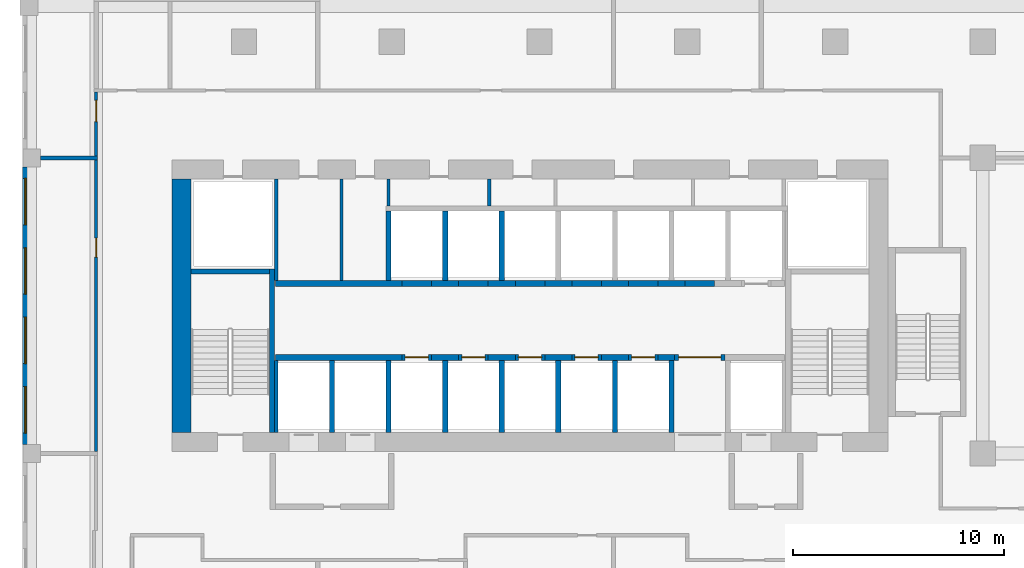
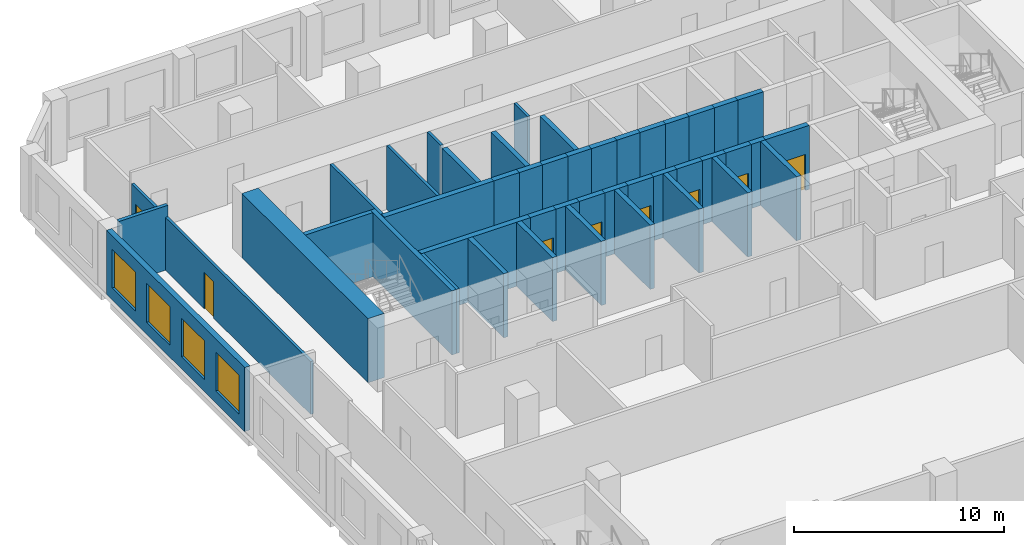
# One storey, part 15 of 27: 46 walls, 8 doors, 4 windows, 12 openings.
"""IFC4 building model written with IfcOpenShell, lengths in metres."""

from ifc_helpers import new_model, si_unit, direction, frame, frame_2d, origin, place, context, subcontext, project, spatial, rectangle, extrude, source, transform, mapped, material, layer, layer_set, type_object, element, fill, save


model = new_model("IFC4")

# Units and contexts
model_context = context("Model", 3, precision=1e-05, world=origin(), true_north=direction((0.0, 1.0)))
body_context = subcontext(model_context, "Body", "Model", "MODEL_VIEW")
ifc_project = project(units=[si_unit("LENGTHUNIT", "METRE"), si_unit("AREAUNIT", "SQUARE_METRE"), si_unit("VOLUMEUNIT", "CUBIC_METRE"), si_unit("PLANEANGLEUNIT", "RADIAN"), si_unit("MASSUNIT", "GRAM", prefix="KILO")], contexts=[model_context])

# Site, building, storey
site_placement = place(None, origin())
site = spatial("IfcSite", under=ifc_project, at=site_placement, CompositionType="ELEMENT")
building_placement = place(site_placement, origin())
building = spatial("IfcBuilding", under=site, at=building_placement, Name="Kilnfold Tower and Market Hall", CompositionType="ELEMENT")
storey_placement = place(building_placement, frame((0.0, 0.0, 112.60009765625)))
storey = spatial("IfcBuildingStorey", under=building, at=storey_placement, Name="L26", CompositionType="ELEMENT", Elevation=112.60009765625)

# Wall, opening, door
ifc_material_1 = material(Name="Gypsum board on steel studs", Category="steel")
ifc_layer_1 = layer(ifc_material_1, 0.14990234375)
ifc_layer_set_1 = layer_set([ifc_layer_1], Name="Gypsum board on steel studs")
wall_type_1 = type_object("IfcWallType", Name="WALL CORRIDOR 150", PredefinedType="PARTITIONING", material=ifc_layer_set_1)
wall_1_placement = place(storey_placement, frame((-19.5, 22.090087890625, 0.0), z_axis=(0.0, 0.0, 1.0), x_axis=(0.0, 1.0, 0.0)))
wall_1 = element("IfcWall", 1, at=wall_1_placement, inside=storey, type_object=wall_type_1, Name="Partition LY17.36", PredefinedType="PARTITIONING", context=body_context, shape_type="SweptSolid", body=[
    extrude(rectangle(XDim=3.034912109375, YDim=0.14990234375, at=frame_2d((1.517578125, 0.0))), origin(), (0.0, 0.0, 1.0), 3.06982421875),
])
opening_1_placement = place(wall_1_placement, frame((1.631103515625, 0.0, 0.0)))
opening_1 = element("IfcOpeningElement", 2, at=opening_1_placement, cuts=wall_1, Name="Opening D1", PredefinedType="OPENING", context=body_context, shape_type="SweptSolid", body=[
    extrude(rectangle(XDim=1.0, YDim=2.10009765625, at=frame_2d((0.5, 1.050048828125))), frame((0.0, 0.0849609375, 0.0), z_axis=(0.0, -1.0, 0.0), x_axis=(1.0, 0.0, 0.0)), (0.0, 0.0, 1.0), 0.169921875),
])
ifc_material_2 = material(Name="Timber veneer door leaf in steel frame", Category="steel")
door_type_1 = type_object("IfcDoorType", Name="DOOR ENTRY 1000 X2100", OperationType="NOTDEFINED", PredefinedType="DOOR", material=ifc_material_2)
door_1_placement = place(opening_1_placement, origin())
door_1 = element("IfcDoor", 3, at=door_1_placement, inside=storey, type_object=door_type_1, Name="Door D1", OperationType="SINGLE_SWING_LEFT", OverallHeight=2.10009765625, OverallWidth=1.0, PredefinedType="DOOR", context=body_context, shape_type="SweptSolid", body=[
    extrude(rectangle(XDim=1.0, YDim=2.10009765625, at=frame_2d((0.5, 1.050048828125))), frame((0.0, 0.02490234375, 0.0), z_axis=(0.0, -1.0, 0.0), x_axis=(1.0, 0.0, 0.0)), (0.0, 0.0, 1.0), 0.050048828125),
])
fill(opening_1, door_1)

wall_2_placement = place(storey_placement, frame((-19.5, 8.090087890625, 0.0), z_axis=(0.0, 0.0, 1.0), x_axis=(0.0, 1.0, 0.0)))
wall_2 = element("IfcWall", 4, at=wall_2_placement, inside=storey, type_object=wall_type_1, Name="Partition LY17.37", PredefinedType="PARTITIONING", context=body_context, shape_type="SweptSolid", body=[
    extrude(rectangle(XDim=13.81982421875, YDim=0.14990234375, at=frame_2d((6.909912109375, 0.0))), origin(), (0.0, 0.0, 1.0), 3.06982421875),
])
opening_2_placement = place(wall_2_placement, frame((9.214111328125, 0.0, 0.0)))
opening_2 = element("IfcOpeningElement", 5, at=opening_2_placement, cuts=wall_2, Name="Opening D2", PredefinedType="OPENING", context=body_context, shape_type="SweptSolid", body=[
    extrude(rectangle(XDim=0.89990234375, YDim=2.10009765625, at=frame_2d((0.449951171875, 1.050048828125))), frame((0.0, 0.0849609375, 0.0), z_axis=(0.0, -1.0, 0.0), x_axis=(1.0, 0.0, 0.0)), (0.0, 0.0, 1.0), 0.169921875),
])
ifc_material_3 = material(Name="Timber veneer door leaf in steel frame", Category="steel")
door_type_2 = type_object("IfcDoorType", Name="DOOR ROOM 900 X2100", OperationType="NOTDEFINED", PredefinedType="DOOR", material=ifc_material_3)
door_2_placement = place(opening_2_placement, origin())
door_2 = element("IfcDoor", 6, at=door_2_placement, inside=storey, type_object=door_type_2, Name="Door D2", OperationType="SINGLE_SWING_RIGHT", OverallHeight=2.10009765625, OverallWidth=0.89990234375, PredefinedType="DOOR", context=body_context, shape_type="SweptSolid", body=[
    extrude(rectangle(XDim=0.89990234375, YDim=2.10009765625, at=frame_2d((0.449951171875, 1.050048828125))), frame((0.0, 0.02490234375, 0.0), z_axis=(0.0, -1.0, 0.0), x_axis=(1.0, 0.0, 0.0)), (0.0, 0.0, 1.0), 0.050048828125),
])
fill(opening_2, door_2)

# Walls
ifc_material_4 = material(Name="Gypsum board on steel studs", Category="steel")
ifc_layer_2 = layer(ifc_material_4, 0.199951171875)
ifc_layer_set_2 = layer_set([ifc_layer_2], Name="Gypsum board on steel studs")
wall_type_2 = type_object("IfcWallType", Name="WALL PARTY 200", PredefinedType="PARTITIONING", material=ifc_layer_set_2)
wall_3_placement = place(storey_placement, frame((-22.125, 22.0, 0.0), z_axis=(0.0, 0.0, 1.0), x_axis=(1.0, 0.0, 0.0)))
element("IfcWall", 7, at=wall_3_placement, inside=storey, type_object=wall_type_2, Name="Partition LY17.75", PredefinedType="PARTITIONING", context=body_context, shape_type="SweptSolid", body=[
    extrude(rectangle(XDim=2.698974609375, YDim=0.199951171875, at=frame_2d((1.349609375, 0.0))), origin(), (0.0, 0.0, 1.0), 3.719970703125),
])
ifc_material_5 = material(Name="Concrete C70", Category="concrete")
ifc_layer_3 = layer(ifc_material_5, 0.25)
ifc_layer_set_3 = layer_set([ifc_layer_3], Name="Concrete C70")
wall_type_3 = type_object("IfcWallType", Name="CORE WALL 250 C70", PredefinedType="SHEAR", material=ifc_layer_set_3)
shared_shape_1 = source(origin(), body_context, "Body", "SweptSolid", [
    extrude(rectangle(XDim=7.75, YDim=0.25, at=frame_2d((3.875, 0.0))), origin(), (0.0, 0.0, 1.0), 3.719970703125),
])
wall_4_placement = place(storey_placement, frame((-11.175048828125, 9.0, 0.0), z_axis=(0.0, 0.0, 1.0), x_axis=(0.0, 1.0, 0.0)))
element("IfcWall", 8, at=wall_4_placement, inside=storey, type_object=wall_type_3, Name="Stair enclosure ST1", PredefinedType="SHEAR", context=body_context, shape_type="MappedRepresentation", body=[
    mapped(shared_shape_1, transform((0.0, 0.0, 0.0))),
])
shared_shape_2 = source(origin(), body_context, "Body", "SweptSolid", [
    extrude(rectangle(XDim=3.699951171875, YDim=0.25, at=frame_2d((1.85009765625, 0.0))), origin(), (0.0, 0.0, 1.0), 3.719970703125),
])
wall_5_placement = place(storey_placement, frame((-15.0, 16.625, 0.0), z_axis=(0.0, 0.0, 1.0), x_axis=(1.0, 0.0, 0.0)))
element("IfcWall", 9, at=wall_5_placement, inside=storey, type_object=wall_type_3, Name="Stair enclosure ST1", PredefinedType="SHEAR", context=body_context, shape_type="MappedRepresentation", body=[
    mapped(shared_shape_2, transform((0.0, 0.0, 0.0))),
])
ifc_material_6 = material(Name="Concrete C70", Category="concrete")
ifc_layer_4 = layer(ifc_material_6, 0.300048828125)
ifc_layer_set_4 = layer_set([ifc_layer_4], Name="Concrete C70")
wall_type_4 = type_object("IfcWallType", Name="CORE WALL 300 C70", PredefinedType="SHEAR", material=ifc_layer_set_4)
shared_shape_3 = source(origin(), body_context, "Body", "SweptSolid", [
    extrude(rectangle(XDim=6.0, YDim=0.300048828125, at=frame_2d((3.0, 0.0))), origin(), (0.0, 0.0, 1.0), 3.719970703125),
])
for number, where, z_axis, x_axis, name in (
    (10, (-11.010009765625, 12.550048828125, 0.0), (0.0, 0.0, 1.0), (1.0, 0.0, 0.0), "Core spine wall"),
    (11, (-11.010009765625, 16.050048828125, 0.0), (0.0, 0.0, 1.0), (1.0, 0.0, 0.0), "Core spine wall"),
):
    element("IfcWall", number, at=place(storey_placement, frame(where, z_axis=z_axis, x_axis=x_axis)), inside=storey, type_object=wall_type_4, Name=name, PredefinedType="SHEAR", context=body_context, shape_type="MappedRepresentation", body=[
        mapped(shared_shape_3, transform((0.0, 0.0, 0.0))),
    ])
shared_shape_4 = source(origin(), body_context, "Body", "SweptSolid", [
    extrude(rectangle(XDim=1.280029296875, YDim=0.300048828125, at=frame_2d((0.64013671875, 0.0))), origin(), (0.0, 0.0, 1.0), 3.719970703125),
])
for number, where, z_axis, x_axis, name in (
    (12, (-3.610107421875, 12.550048828125, 0.0), (0.0, 0.0, 1.0), (1.0, 0.0, 0.0), "Core spine wall"),
    (13, (-0.929931640625, 12.550048828125, 0.0), (0.0, 0.0, 1.0), (1.0, 0.0, 0.0), "Core spine wall"),
    (14, (1.75, 12.550048828125, 0.0), (0.0, 0.0, 1.0), (1.0, 0.0, 0.0), "Core spine wall"),
    (15, (4.429931640625, 12.550048828125, 0.0), (0.0, 0.0, 1.0), (1.0, 0.0, 0.0), "Core spine wall"),
    (16, (-3.610107421875, 16.050048828125, 0.0), (0.0, 0.0, 1.0), (1.0, 0.0, 0.0), "Core spine wall"),
    (17, (-0.929931640625, 16.050048828125, 0.0), (0.0, 0.0, 1.0), (1.0, 0.0, 0.0), "Core spine wall"),
    (18, (1.75, 16.050048828125, 0.0), (0.0, 0.0, 1.0), (1.0, 0.0, 0.0), "Core spine wall"),
    (19, (4.429931640625, 16.050048828125, 0.0), (0.0, 0.0, 1.0), (1.0, 0.0, 0.0), "Core spine wall"),
):
    element("IfcWall", number, at=place(storey_placement, frame(where, z_axis=z_axis, x_axis=x_axis)), inside=storey, type_object=wall_type_4, Name=name, PredefinedType="SHEAR", context=body_context, shape_type="MappedRepresentation", body=[
        mapped(shared_shape_4, transform((0.0, 0.0, 0.0))),
    ])
shared_shape_5 = source(origin(), body_context, "Body", "SweptSolid", [
    extrude(rectangle(XDim=0.77978515625, YDim=0.300048828125, at=frame_2d((0.389892578125, 0.0))), origin(), (0.0, 0.0, 1.0), 3.719970703125),
])
wall_6_placement = place(storey_placement, frame((7.110107421875, 12.550048828125, 0.0), z_axis=(0.0, 0.0, 1.0), x_axis=(1.0, 0.0, 0.0)))
element("IfcWall", 20, at=wall_6_placement, inside=storey, type_object=wall_type_4, Name="Core spine wall", PredefinedType="SHEAR", context=body_context, shape_type="MappedRepresentation", body=[
    mapped(shared_shape_5, transform((0.0, 0.0, 0.0))),
])
shared_shape_6 = source(origin(), body_context, "Body", "SweptSolid", [
    extrude(rectangle(XDim=1.27978515625, YDim=0.300048828125, at=frame_2d((0.639892578125, 0.0))), origin(), (0.0, 0.0, 1.0), 3.719970703125),
])
wall_7_placement = place(storey_placement, frame((7.110107421875, 16.050048828125, 0.0), z_axis=(0.0, 0.0, 1.0), x_axis=(1.0, 0.0, 0.0)))
element("IfcWall", 21, at=wall_7_placement, inside=storey, type_object=wall_type_4, Name="Core spine wall", PredefinedType="SHEAR", context=body_context, shape_type="MappedRepresentation", body=[
    mapped(shared_shape_6, transform((0.0, 0.0, 0.0))),
])
ifc_material_7 = material(Name="Concrete C70", Category="concrete")
ifc_layer_5 = layer(ifc_material_7, 0.89990234375)
ifc_layer_set_5 = layer_set([ifc_layer_5], Name="Concrete C70")
wall_type_5 = type_object("IfcWallType", Name="CORE WALL 900 C70", PredefinedType="SHEAR", material=ifc_layer_set_5)
shared_shape_7 = source(origin(), body_context, "Body", "SweptSolid", [
    extrude(rectangle(XDim=12.0, YDim=0.89990234375, at=frame_2d((6.0, 0.0))), origin(), (0.0, 0.0, 1.0), 3.719970703125),
])
wall_8_placement = place(storey_placement, frame((-15.449951171875, 9.0, 0.0), z_axis=(0.0, 0.0, 1.0), x_axis=(0.0, 1.0, 0.0)))
element("IfcWall", 22, at=wall_8_placement, inside=storey, type_object=wall_type_5, Name="Core outer wall west", PredefinedType="SHEAR", context=body_context, shape_type="MappedRepresentation", body=[
    mapped(shared_shape_7, transform((0.0, 0.0, 0.0))),
])

# Wall, openings, windows
ifc_material_8 = material(Name="Precast concrete C50/60", Category="concrete")
ifc_layer_6 = layer(ifc_material_8, 0.300048828125)
ifc_layer_set_6 = layer_set([ifc_layer_6], Name="Precast concrete C50/60")
wall_type_6 = type_object("IfcWallType", Name="PRECAST WALL 300", PredefinedType="SOLIDWALL", material=ifc_layer_set_6)
shared_shape_8 = source(origin(), body_context, "Body", "SweptSolid", [
    extrude(rectangle(XDim=13.14990234375, YDim=0.300048828125, at=frame_2d((6.574951171875, 0.0))), origin(), (0.0, 0.0, 1.0), 3.719970703125),
])
wall_9_placement = place(storey_placement, frame((-22.85009765625, 21.574951171875, 0.0), z_axis=(0.0, 0.0, 1.0), x_axis=(0.0, -1.0, 0.0)))
wall_9 = element("IfcWall", 23, at=wall_9_placement, inside=storey, type_object=wall_type_6, Name="External wall L26 W", PredefinedType="SOLIDWALL", context=body_context, shape_type="MappedRepresentation", body=[
    mapped(shared_shape_8, transform((0.0, 0.0, 0.0))),
])
opening_3_placement = place(wall_9_placement, frame((0.543701171875, 0.0, 0.699951171875)))
opening_3 = element("IfcOpeningElement", 24, at=opening_3_placement, cuts=wall_9, Name="Opening W1", PredefinedType="OPENING", context=body_context, shape_type="SweptSolid", body=[
    extrude(rectangle(XDim=2.199951171875, YDim=2.25, at=frame_2d((1.10009765625, 1.125))), frame((0.0, 0.16015625, 0.0), z_axis=(0.0, -1.0, 0.0), x_axis=(1.0, 0.0, 0.0)), (0.0, 0.0, 1.0), 0.320068359375),
])
opening_4_placement = place(wall_9_placement, frame((3.831298828125, 0.0, 0.699951171875)))
opening_4 = element("IfcOpeningElement", 25, at=opening_4_placement, cuts=wall_9, Name="Opening W1", PredefinedType="OPENING", context=body_context, shape_type="SweptSolid", body=[
    extrude(rectangle(XDim=2.199951171875, YDim=2.25, at=frame_2d((1.10009765625, 1.125))), frame((0.0, 0.16015625, 0.0), z_axis=(0.0, -1.0, 0.0), x_axis=(1.0, 0.0, 0.0)), (0.0, 0.0, 1.0), 0.320068359375),
])
opening_5_placement = place(wall_9_placement, frame((7.118896484375, 0.0, 0.699951171875)))
opening_5 = element("IfcOpeningElement", 26, at=opening_5_placement, cuts=wall_9, Name="Opening W1", PredefinedType="OPENING", context=body_context, shape_type="SweptSolid", body=[
    extrude(rectangle(XDim=2.199951171875, YDim=2.25, at=frame_2d((1.10009765625, 1.125))), frame((0.0, 0.16015625, 0.0), z_axis=(0.0, -1.0, 0.0), x_axis=(1.0, 0.0, 0.0)), (0.0, 0.0, 1.0), 0.320068359375),
])
opening_6_placement = place(wall_9_placement, frame((10.40625, 0.0, 0.699951171875)))
opening_6 = element("IfcOpeningElement", 27, at=opening_6_placement, cuts=wall_9, Name="Opening W1", PredefinedType="OPENING", context=body_context, shape_type="SweptSolid", body=[
    extrude(rectangle(XDim=2.199951171875, YDim=2.25, at=frame_2d((1.10009765625, 1.125))), frame((0.0, 0.16015625, 0.0), z_axis=(0.0, -1.0, 0.0), x_axis=(1.0, 0.0, 0.0)), (0.0, 0.0, 1.0), 0.320068359375),
])
ifc_material_9 = material(Name="Aluminium frame and double glazing", Category="aluminium")
window_type = type_object("IfcWindowType", Name="WINDOW W1 2200X2250", PartitioningType="SINGLE_PANEL", PredefinedType="WINDOW", material=ifc_material_9)
window_1_placement = place(opening_3_placement, origin())
window_1 = element("IfcWindow", 28, at=window_1_placement, inside=storey, type_object=window_type, Name="Window W1 L26 W-1", OverallHeight=2.25, OverallWidth=2.199951171875, PartitioningType="SINGLE_PANEL", PredefinedType="WINDOW", context=body_context, shape_type="SweptSolid", body=[
    extrude(rectangle(XDim=2.199951171875, YDim=2.25, at=frame_2d((1.10009765625, 1.125))), frame((0.0, 0.030029296875, 0.0), z_axis=(0.0, -1.0, 0.0), x_axis=(1.0, 0.0, 0.0)), (0.0, 0.0, 1.0), 0.06005859375),
])
fill(opening_3, window_1)
window_2_placement = place(opening_4_placement, origin())
window_2 = element("IfcWindow", 29, at=window_2_placement, inside=storey, type_object=window_type, Name="Window W1 L26 W-2", OverallHeight=2.25, OverallWidth=2.199951171875, PartitioningType="SINGLE_PANEL", PredefinedType="WINDOW", context=body_context, shape_type="SweptSolid", body=[
    extrude(rectangle(XDim=2.199951171875, YDim=2.25, at=frame_2d((1.10009765625, 1.125))), frame((0.0, 0.030029296875, 0.0), z_axis=(0.0, -1.0, 0.0), x_axis=(1.0, 0.0, 0.0)), (0.0, 0.0, 1.0), 0.06005859375),
])
fill(opening_4, window_2)
window_3_placement = place(opening_5_placement, origin())
window_3 = element("IfcWindow", 30, at=window_3_placement, inside=storey, type_object=window_type, Name="Window W1 L26 W-3", OverallHeight=2.25, OverallWidth=2.199951171875, PartitioningType="SINGLE_PANEL", PredefinedType="WINDOW", context=body_context, shape_type="SweptSolid", body=[
    extrude(rectangle(XDim=2.199951171875, YDim=2.25, at=frame_2d((1.10009765625, 1.125))), frame((0.0, 0.030029296875, 0.0), z_axis=(0.0, -1.0, 0.0), x_axis=(1.0, 0.0, 0.0)), (0.0, 0.0, 1.0), 0.06005859375),
])
fill(opening_5, window_3)
window_4_placement = place(opening_6_placement, origin())
window_4 = element("IfcWindow", 31, at=window_4_placement, inside=storey, type_object=window_type, Name="Window W1 L26 W-4", OverallHeight=2.25, OverallWidth=2.199951171875, PartitioningType="SINGLE_PANEL", PredefinedType="WINDOW", context=body_context, shape_type="SweptSolid", body=[
    extrude(rectangle(XDim=2.199951171875, YDim=2.25, at=frame_2d((1.10009765625, 1.125))), frame((0.0, 0.030029296875, 0.0), z_axis=(0.0, -1.0, 0.0), x_axis=(1.0, 0.0, 0.0)), (0.0, 0.0, 1.0), 0.06005859375),
])
fill(opening_6, window_4)

# Wall, opening, door
ifc_material_10 = material(Name="Gypsum shaft wall system")
ifc_layer_7 = layer(ifc_material_10, 0.300048828125)
ifc_layer_set_7 = layer_set([ifc_layer_7], Name="Gypsum shaft wall system")
wall_type_7 = type_object("IfcWallType", Name="SHAFT WALL 300", PredefinedType="PARTITIONING", material=ifc_layer_set_7)
shared_shape_9 = source(origin(), body_context, "Body", "SweptSolid", [
    extrude(rectangle(XDim=1.39990234375, YDim=0.300048828125, at=frame_2d((0.699951171875, 0.0))), origin(), (0.0, 0.0, 1.0), 3.719970703125),
])
wall_10_placement = place(storey_placement, frame((-5.010009765625, 12.550048828125, 0.0), z_axis=(0.0, 0.0, 1.0), x_axis=(1.0, 0.0, 0.0)))
wall_10 = element("IfcWall", 32, at=wall_10_placement, inside=storey, type_object=wall_type_7, Name="Lift shaft front wall", PredefinedType="PARTITIONING", context=body_context, shape_type="MappedRepresentation", body=[
    mapped(shared_shape_9, transform((0.0, 0.0, 0.0))),
])
opening_7_placement = place(wall_10_placement, frame((0.14990234375, 0.0, 0.0)))
opening_7 = element("IfcOpeningElement", 33, at=opening_7_placement, cuts=wall_10, Name="Opening LD2", PredefinedType="OPENING", context=body_context, shape_type="SweptSolid", body=[
    extrude(rectangle(XDim=1.10009765625, YDim=2.10009765625, at=frame_2d((0.550048828125, 1.050048828125))), frame((0.0, 0.16015625, 0.0), z_axis=(0.0, -1.0, 0.0), x_axis=(1.0, 0.0, 0.0)), (0.0, 0.0, 1.0), 0.320068359375),
])
ifc_material_11 = material(Name="Steel door set with fire-resisting leaf", Category="steel")
door_type_3 = type_object("IfcDoorType", Name="LANDING DOOR 1100X2100", OperationType="NOTDEFINED", PredefinedType="DOOR", material=ifc_material_11)
door_3_placement = place(opening_7_placement, origin())
door_3 = element("IfcDoor", 34, at=door_3_placement, inside=storey, type_object=door_type_3, Name="Landing door LR1", OperationType="DOUBLE_DOOR_SLIDING", OverallHeight=2.10009765625, OverallWidth=1.10009765625, PredefinedType="DOOR", context=body_context, shape_type="SweptSolid", body=[
    extrude(rectangle(XDim=1.10009765625, YDim=2.10009765625, at=frame_2d((0.550048828125, 1.050048828125))), frame((0.0, 0.02490234375, 0.0), z_axis=(0.0, -1.0, 0.0), x_axis=(1.0, 0.0, 0.0)), (0.0, 0.0, 1.0), 0.050048828125),
])
fill(opening_7, door_3)

wall_11_placement = place(storey_placement, frame((0.35009765625, 12.550048828125, 0.0), z_axis=(0.0, 0.0, 1.0), x_axis=(1.0, 0.0, 0.0)))
wall_11 = element("IfcWall", 35, at=wall_11_placement, inside=storey, type_object=wall_type_7, Name="Lift shaft front wall", PredefinedType="PARTITIONING", context=body_context, shape_type="MappedRepresentation", body=[
    mapped(shared_shape_9, transform((0.0, 0.0, 0.0))),
])
opening_8_placement = place(wall_11_placement, frame((0.14990234375, 0.0, 0.0)))
opening_8 = element("IfcOpeningElement", 36, at=opening_8_placement, cuts=wall_11, Name="Opening LD2", PredefinedType="OPENING", context=body_context, shape_type="SweptSolid", body=[
    extrude(rectangle(XDim=1.10009765625, YDim=2.10009765625, at=frame_2d((0.550048828125, 1.050048828125))), frame((0.0, 0.16015625, 0.0), z_axis=(0.0, -1.0, 0.0), x_axis=(1.0, 0.0, 0.0)), (0.0, 0.0, 1.0), 0.320068359375),
])
door_4_placement = place(opening_8_placement, origin())
door_4 = element("IfcDoor", 37, at=door_4_placement, inside=storey, type_object=door_type_3, Name="Landing door LR3", OperationType="DOUBLE_DOOR_SLIDING", OverallHeight=2.10009765625, OverallWidth=1.10009765625, PredefinedType="DOOR", context=body_context, shape_type="SweptSolid", body=[
    extrude(rectangle(XDim=1.10009765625, YDim=2.10009765625, at=frame_2d((0.550048828125, 1.050048828125))), frame((0.0, 0.02490234375, 0.0), z_axis=(0.0, -1.0, 0.0), x_axis=(1.0, 0.0, 0.0)), (0.0, 0.0, 1.0), 0.050048828125),
])
fill(opening_8, door_4)

wall_12_placement = place(storey_placement, frame((3.030029296875, 12.550048828125, 0.0), z_axis=(0.0, 0.0, 1.0), x_axis=(1.0, 0.0, 0.0)))
wall_12 = element("IfcWall", 38, at=wall_12_placement, inside=storey, type_object=wall_type_7, Name="Lift shaft front wall", PredefinedType="PARTITIONING", context=body_context, shape_type="MappedRepresentation", body=[
    mapped(shared_shape_9, transform((0.0, 0.0, 0.0))),
])
opening_9_placement = place(wall_12_placement, frame((0.14990234375, 0.0, 0.0)))
opening_9 = element("IfcOpeningElement", 39, at=opening_9_placement, cuts=wall_12, Name="Opening LD2", PredefinedType="OPENING", context=body_context, shape_type="SweptSolid", body=[
    extrude(rectangle(XDim=1.10009765625, YDim=2.10009765625, at=frame_2d((0.550048828125, 1.050048828125))), frame((0.0, 0.16015625, 0.0), z_axis=(0.0, -1.0, 0.0), x_axis=(1.0, 0.0, 0.0)), (0.0, 0.0, 1.0), 0.320068359375),
])
door_5_placement = place(opening_9_placement, origin())
door_5 = element("IfcDoor", 40, at=door_5_placement, inside=storey, type_object=door_type_3, Name="Landing door LR4", OperationType="DOUBLE_DOOR_SLIDING", OverallHeight=2.10009765625, OverallWidth=1.10009765625, PredefinedType="DOOR", context=body_context, shape_type="SweptSolid", body=[
    extrude(rectangle(XDim=1.10009765625, YDim=2.10009765625, at=frame_2d((0.550048828125, 1.050048828125))), frame((0.0, 0.02490234375, 0.0), z_axis=(0.0, -1.0, 0.0), x_axis=(1.0, 0.0, 0.0)), (0.0, 0.0, 1.0), 0.050048828125),
])
fill(opening_9, door_5)

# Walls
for number, where, z_axis, x_axis, name in (
    (41, (-5.010009765625, 16.050048828125, 0.0), (0.0, 0.0, 1.0), (1.0, 0.0, 0.0), "Lift shaft front wall"),
    (42, (0.35009765625, 16.050048828125, 0.0), (0.0, 0.0, 1.0), (1.0, 0.0, 0.0), "Lift shaft front wall"),
    (43, (3.030029296875, 16.050048828125, 0.0), (0.0, 0.0, 1.0), (1.0, 0.0, 0.0), "Lift shaft front wall"),
):
    element("IfcWall", number, at=place(storey_placement, frame(where, z_axis=z_axis, x_axis=x_axis)), inside=storey, type_object=wall_type_7, Name=name, PredefinedType="PARTITIONING", context=body_context, shape_type="MappedRepresentation", body=[
        mapped(shared_shape_9, transform((0.0, 0.0, 0.0))),
    ])

# Wall, opening, door
shared_shape_10 = source(origin(), body_context, "Body", "SweptSolid", [
    extrude(rectangle(XDim=1.400146484375, YDim=0.300048828125, at=frame_2d((0.7001953125, 0.0))), origin(), (0.0, 0.0, 1.0), 3.719970703125),
])
wall_13_placement = place(storey_placement, frame((-2.330078125, 12.550048828125, 0.0), z_axis=(0.0, 0.0, 1.0), x_axis=(1.0, 0.0, 0.0)))
wall_13 = element("IfcWall", 44, at=wall_13_placement, inside=storey, type_object=wall_type_7, Name="Lift shaft front wall", PredefinedType="PARTITIONING", context=body_context, shape_type="MappedRepresentation", body=[
    mapped(shared_shape_10, transform((0.0, 0.0, 0.0))),
])
opening_10_placement = place(wall_13_placement, frame((0.14990234375, 0.0, 0.0)))
opening_10 = element("IfcOpeningElement", 45, at=opening_10_placement, cuts=wall_13, Name="Opening LD2", PredefinedType="OPENING", context=body_context, shape_type="SweptSolid", body=[
    extrude(rectangle(XDim=1.10009765625, YDim=2.10009765625, at=frame_2d((0.550048828125, 1.050048828125))), frame((0.0, 0.16015625, 0.0), z_axis=(0.0, -1.0, 0.0), x_axis=(1.0, 0.0, 0.0)), (0.0, 0.0, 1.0), 0.320068359375),
])
door_6_placement = place(opening_10_placement, origin())
door_6 = element("IfcDoor", 46, at=door_6_placement, inside=storey, type_object=door_type_3, Name="Landing door LR2", OperationType="DOUBLE_DOOR_SLIDING", OverallHeight=2.10009765625, OverallWidth=1.10009765625, PredefinedType="DOOR", context=body_context, shape_type="SweptSolid", body=[
    extrude(rectangle(XDim=1.10009765625, YDim=2.10009765625, at=frame_2d((0.550048828125, 1.050048828125))), frame((0.0, 0.02490234375, 0.0), z_axis=(0.0, -1.0, 0.0), x_axis=(1.0, 0.0, 0.0)), (0.0, 0.0, 1.0), 0.050048828125),
])
fill(opening_10, door_6)

wall_14_placement = place(storey_placement, frame((5.7099609375, 12.550048828125, 0.0), z_axis=(0.0, 0.0, 1.0), x_axis=(1.0, 0.0, 0.0)))
wall_14 = element("IfcWall", 47, at=wall_14_placement, inside=storey, type_object=wall_type_7, Name="Lift shaft front wall", PredefinedType="PARTITIONING", context=body_context, shape_type="MappedRepresentation", body=[
    mapped(shared_shape_10, transform((0.0, 0.0, 0.0))),
])
opening_11_placement = place(wall_14_placement, frame((0.14990234375, 0.0, 0.0)))
opening_11 = element("IfcOpeningElement", 48, at=opening_11_placement, cuts=wall_14, Name="Opening LD2", PredefinedType="OPENING", context=body_context, shape_type="SweptSolid", body=[
    extrude(rectangle(XDim=1.10009765625, YDim=2.10009765625, at=frame_2d((0.550048828125, 1.050048828125))), frame((0.0, 0.16015625, 0.0), z_axis=(0.0, -1.0, 0.0), x_axis=(1.0, 0.0, 0.0)), (0.0, 0.0, 1.0), 0.320068359375),
])
door_7_placement = place(opening_11_placement, origin())
door_7 = element("IfcDoor", 49, at=door_7_placement, inside=storey, type_object=door_type_3, Name="Landing door LR5", OperationType="DOUBLE_DOOR_SLIDING", OverallHeight=2.10009765625, OverallWidth=1.10009765625, PredefinedType="DOOR", context=body_context, shape_type="SweptSolid", body=[
    extrude(rectangle(XDim=1.10009765625, YDim=2.10009765625, at=frame_2d((0.550048828125, 1.050048828125))), frame((0.0, 0.02490234375, 0.0), z_axis=(0.0, -1.0, 0.0), x_axis=(1.0, 0.0, 0.0)), (0.0, 0.0, 1.0), 0.050048828125),
])
fill(opening_11, door_7)

# Walls
for number, where, z_axis, x_axis, name in (
    (50, (-2.330078125, 16.050048828125, 0.0), (0.0, 0.0, 1.0), (1.0, 0.0, 0.0), "Lift shaft front wall"),
    (51, (5.7099609375, 16.050048828125, 0.0), (0.0, 0.0, 1.0), (1.0, 0.0, 0.0), "Lift shaft front wall"),
    (52, (8.389892578125, 16.050048828125, 0.0), (0.0, 0.0, 1.0), (1.0, 0.0, 0.0), "Lift shaft front wall"),
):
    element("IfcWall", number, at=place(storey_placement, frame(where, z_axis=z_axis, x_axis=x_axis)), inside=storey, type_object=wall_type_7, Name=name, PredefinedType="PARTITIONING", context=body_context, shape_type="MappedRepresentation", body=[
        mapped(shared_shape_10, transform((0.0, 0.0, 0.0))),
    ])

# Wall, opening, door
shared_shape_11 = source(origin(), body_context, "Body", "SweptSolid", [
    extrude(rectangle(XDim=2.400146484375, YDim=0.300048828125, at=frame_2d((1.2001953125, 0.0))), origin(), (0.0, 0.0, 1.0), 3.719970703125),
])
wall_15_placement = place(storey_placement, frame((7.889892578125, 12.550048828125, 0.0), z_axis=(0.0, 0.0, 1.0), x_axis=(1.0, 0.0, 0.0)))
wall_15 = element("IfcWall", 53, at=wall_15_placement, inside=storey, type_object=wall_type_7, Name="Lift shaft front wall", PredefinedType="PARTITIONING", context=body_context, shape_type="MappedRepresentation", body=[
    mapped(shared_shape_11, transform((0.0, 0.0, 0.0))),
])
opening_12_placement = place(wall_15_placement, frame((0.199951171875, 0.0, 0.0)))
opening_12 = element("IfcOpeningElement", 54, at=opening_12_placement, cuts=wall_15, Name="Opening VD2", PredefinedType="OPENING", context=body_context, shape_type="SweptSolid", body=[
    extrude(rectangle(XDim=2.0, YDim=2.10009765625, at=frame_2d((1.0, 1.050048828125))), frame((0.0, 0.16015625, 0.0), z_axis=(0.0, -1.0, 0.0), x_axis=(1.0, 0.0, 0.0)), (0.0, 0.0, 1.0), 0.320068359375),
])
ifc_material_12 = material(Name="Steel door set with fire-resisting leaf", Category="steel")
door_type_4 = type_object("IfcDoorType", Name="LIFT LOBBY ENTRANCE DOOR 2000X2100", OperationType="NOTDEFINED", PredefinedType="DOOR", material=ifc_material_12)
door_8_placement = place(opening_12_placement, origin())
door_8 = element("IfcDoor", 55, at=door_8_placement, inside=storey, type_object=door_type_4, Name="Lift lobby entrance door", OperationType="DOUBLE_DOOR_SINGLE_SWING", OverallHeight=2.10009765625, OverallWidth=2.0, PredefinedType="DOOR", context=body_context, shape_type="SweptSolid", body=[
    extrude(rectangle(XDim=2.0, YDim=2.10009765625, at=frame_2d((1.0, 1.050048828125))), frame((0.0, 0.02490234375, 0.0), z_axis=(0.0, -1.0, 0.0), x_axis=(1.0, 0.0, 0.0)), (0.0, 0.0, 1.0), 0.050048828125),
])
fill(opening_12, door_8)

# Walls
ifc_material_13 = material(Name="Gypsum shaft wall system")
ifc_layer_8 = layer(ifc_material_13, 0.25)
ifc_layer_set_8 = layer_set([ifc_layer_8], Name="Gypsum shaft wall system")
wall_type_8 = type_object("IfcWallType", Name="SHAFT WALL 250", PredefinedType="PARTITIONING", material=ifc_layer_set_8)
shared_shape_12 = source(origin(), body_context, "Body", "SweptSolid", [
    extrude(rectangle(XDim=3.275146484375, YDim=0.25, at=frame_2d((1.6376953125, 0.0))), origin(), (0.0, 0.0, 1.0), 3.719970703125),
])
for number, where, z_axis, x_axis, name in (
    (56, (-0.2900390625, 16.199951171875, 0.0), (0.0, 0.0, 1.0), (0.0, 1.0, 0.0), "Lift shaft wall"),
    (57, (-2.969970703125, 16.199951171875, 0.0), (0.0, 0.0, 1.0), (0.0, 1.0, 0.0), "Lift shaft wall"),
    (58, (-5.64990234375, 16.199951171875, 0.0), (0.0, 0.0, 1.0), (0.0, 1.0, 0.0), "Lift shaft wall"),
):
    element("IfcWall", number, at=place(storey_placement, frame(where, z_axis=z_axis, x_axis=x_axis)), inside=storey, type_object=wall_type_8, Name=name, PredefinedType="PARTITIONING", context=body_context, shape_type="MappedRepresentation", body=[
        mapped(shared_shape_12, transform((0.0, 0.0, 0.0))),
    ])
shared_shape_13 = source(origin(), body_context, "Body", "SweptSolid", [
    extrude(rectangle(XDim=3.39990234375, YDim=0.25, at=frame_2d((1.699951171875, 0.0))), origin(), (0.0, 0.0, 1.0), 3.719970703125),
])
for number, where, z_axis, x_axis, name in (
    (59, (2.389892578125, 9.0, 0.0), (0.0, 0.0, 1.0), (0.0, 1.0, 0.0), "Lift shaft wall"),
    (60, (5.070068359375, 9.0, 0.0), (0.0, 0.0, 1.0), (0.0, 1.0, 0.0), "Lift shaft wall"),
    (61, (7.75, 9.0, 0.0), (0.0, 0.0, 1.0), (0.0, 1.0, 0.0), "Lift shaft wall"),
    (62, (-0.2900390625, 9.0, 0.0), (0.0, 0.0, 1.0), (0.0, 1.0, 0.0), "Lift shaft wall"),
    (63, (-2.969970703125, 9.0, 0.0), (0.0, 0.0, 1.0), (0.0, 1.0, 0.0), "Lift shaft wall"),
    (64, (-5.64990234375, 9.0, 0.0), (0.0, 0.0, 1.0), (0.0, 1.0, 0.0), "Lift shaft wall"),
    (65, (-8.330078125, 9.0, 0.0), (0.0, 0.0, 1.0), (0.0, 1.0, 0.0), "Lift shaft wall"),
):
    element("IfcWall", number, at=place(storey_placement, frame(where, z_axis=z_axis, x_axis=x_axis)), inside=storey, type_object=wall_type_8, Name=name, PredefinedType="PARTITIONING", context=body_context, shape_type="MappedRepresentation", body=[
        mapped(shared_shape_13, transform((0.0, 0.0, 0.0))),
    ])
ifc_material_14 = material(Name="Gypsum shaft wall system")
ifc_layer_9 = layer(ifc_material_14, 0.1650390625)
ifc_layer_set_9 = layer_set([ifc_layer_9], Name="Gypsum shaft wall system")
wall_type_9 = type_object("IfcWallType", Name="SHAFT WALL 165", PredefinedType="PARTITIONING", material=ifc_layer_set_9)
shared_shape_14 = source(origin(), body_context, "Body", "SweptSolid", [
    extrude(rectangle(XDim=3.39990234375, YDim=0.1650390625, at=frame_2d((1.699951171875, 0.0))), origin(), (0.0, 0.0, 1.0), 3.719970703125),
])
wall_16_placement = place(storey_placement, frame((-10.967529296875, 9.0, 0.0), z_axis=(0.0, 0.0, 1.0), x_axis=(0.0, 1.0, 0.0)))
element("IfcWall", 66, at=wall_16_placement, inside=storey, type_object=wall_type_9, Name="Lift shaft wall", PredefinedType="PARTITIONING", context=body_context, shape_type="MappedRepresentation", body=[
    mapped(shared_shape_14, transform((0.0, 0.0, 0.0))),
])
ifc_material_15 = material(Name="Gypsum shaft wall system")
ifc_layer_10 = layer(ifc_material_15, 0.14990234375)
ifc_layer_set_10 = layer_set([ifc_layer_10], Name="Gypsum shaft wall system")
wall_type_10 = type_object("IfcWallType", Name="ROOM WALL 150", PredefinedType="PARTITIONING", material=ifc_layer_set_10)
shared_shape_15 = source(origin(), body_context, "Body", "SweptSolid", [
    extrude(rectangle(XDim=1.27490234375, YDim=0.14990234375, at=frame_2d((0.637451171875, 0.0))), origin(), (0.0, 0.0, 1.0), 3.719970703125),
])
for number, where, z_axis, x_axis, name in (
    (67, (-5.64990234375, 19.72509765625, 0.0), (0.0, 0.0, 1.0), (0.0, 1.0, 0.0), "Core room wall"),
    (68, (-0.879638671875, 19.72509765625, 0.0), (0.0, 0.0, 1.0), (0.0, 1.0, 0.0), "Core room wall"),
):
    element("IfcWall", number, at=place(storey_placement, frame(where, z_axis=z_axis, x_axis=x_axis)), inside=storey, type_object=wall_type_10, Name=name, PredefinedType="PARTITIONING", context=body_context, shape_type="MappedRepresentation", body=[
        mapped(shared_shape_15, transform((0.0, 0.0, 0.0))),
    ])
shared_shape_16 = source(origin(), body_context, "Body", "SweptSolid", [
    extrude(rectangle(XDim=4.800048828125, YDim=0.1650390625, at=frame_2d((2.39990234375, 0.0))), origin(), (0.0, 0.0, 1.0), 3.719970703125),
])
wall_17_placement = place(storey_placement, frame((-10.967529296875, 16.199951171875, 0.0), z_axis=(0.0, 0.0, 1.0), x_axis=(0.0, 1.0, 0.0)))
element("IfcWall", 69, at=wall_17_placement, inside=storey, type_object=wall_type_9, Name="Lift shaft wall", PredefinedType="PARTITIONING", context=body_context, shape_type="MappedRepresentation", body=[
    mapped(shared_shape_16, transform((0.0, 0.0, 0.0))),
])
shared_shape_17 = source(origin(), body_context, "Body", "SweptSolid", [
    extrude(rectangle(XDim=4.800048828125, YDim=0.14990234375, at=frame_2d((2.39990234375, 0.0))), origin(), (0.0, 0.0, 1.0), 3.719970703125),
])
wall_18_placement = place(storey_placement, frame((-7.87451171875, 16.199951171875, 0.0), z_axis=(0.0, 0.0, 1.0), x_axis=(0.0, 1.0, 0.0)))
element("IfcWall", 70, at=wall_18_placement, inside=storey, type_object=wall_type_10, Name="Core room wall", PredefinedType="PARTITIONING", context=body_context, shape_type="MappedRepresentation", body=[
    mapped(shared_shape_17, transform((0.0, 0.0, 0.0))),
])

save(model, "model.ifc")
